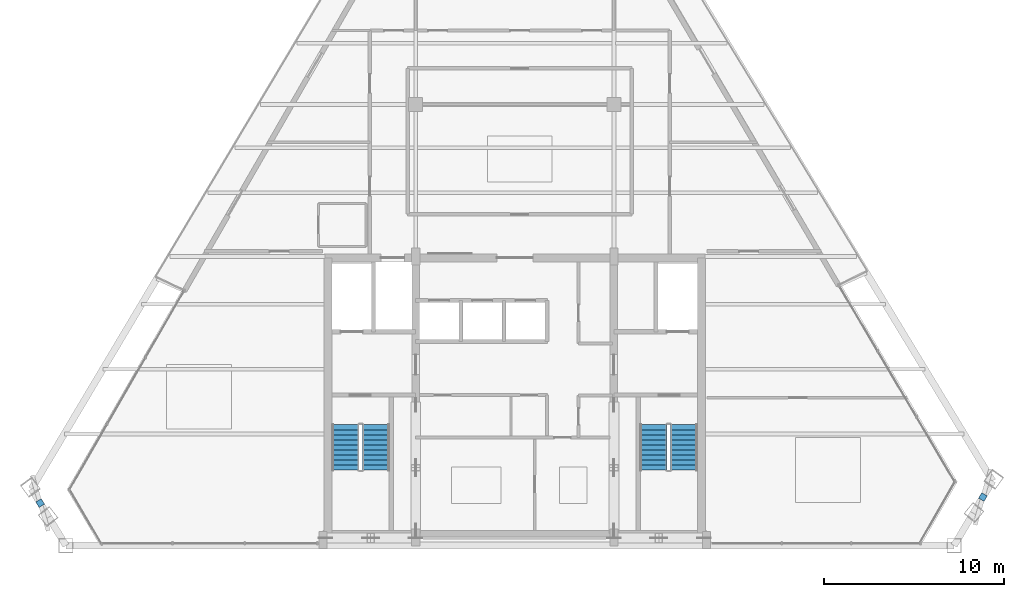
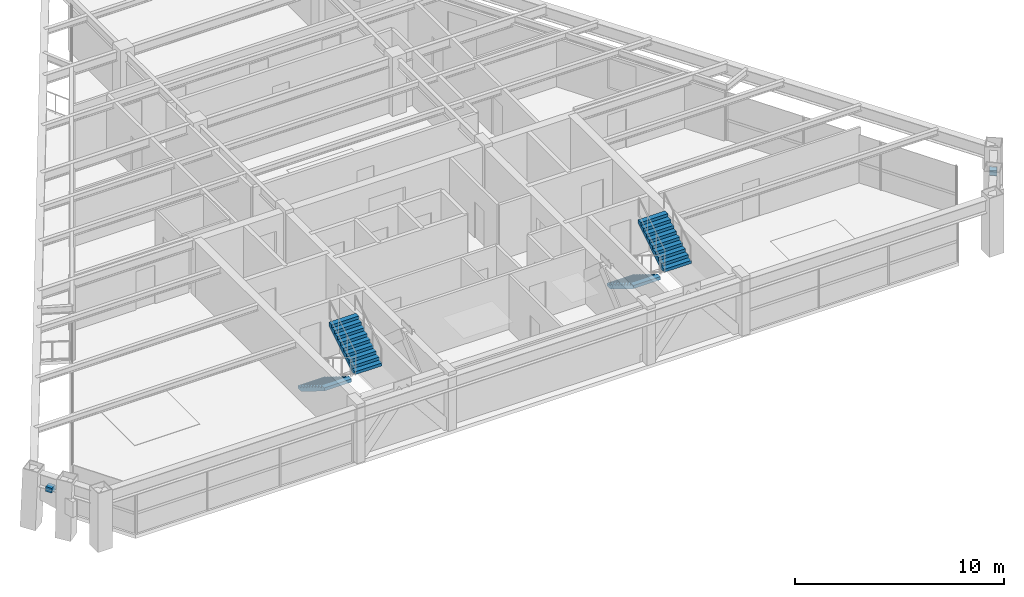
# One storey, part 11 of 13: 4 stair flights, 2 discrete accessories, 2 elements without a shape of their own.
"""IFC4 building model written with IfcOpenShell, lengths in metres."""

from ifc_helpers import new_model, si_unit, direction, frame, origin, origin_2d, place, context, subcontext, project, spatial, polyline, rectangle, outline, extrude, source, transform, mapped, material, type_object, type_shapes, element, aggregate, save


model = new_model("IFC4")

# Units and contexts
model_context = context("Model", 3, precision=1e-05, world=origin(), true_north=direction((0.0, 1.0)))
body_context = subcontext(model_context, "Body", "Model", "MODEL_VIEW")
ifc_project = project(units=[si_unit("LENGTHUNIT", "METRE"), si_unit("AREAUNIT", "SQUARE_METRE"), si_unit("VOLUMEUNIT", "CUBIC_METRE"), si_unit("PLANEANGLEUNIT", "RADIAN"), si_unit("MASSUNIT", "GRAM", prefix="KILO")], contexts=[model_context])

# Site, building, storey
site_placement = place(None, origin())
site = spatial("IfcSite", under=ifc_project, at=site_placement, CompositionType="ELEMENT")
building_placement = place(site_placement, origin())
building = spatial("IfcBuilding", under=site, at=building_placement, Name="Varnakhor Terracotta Tower", CompositionType="ELEMENT")
storey_placement = place(building_placement, frame((0.0, 0.0, 279.89990234375)))
storey = spatial("IfcBuildingStorey", under=building, at=storey_placement, Name="L73", CompositionType="ELEMENT", Elevation=279.89990234375)

# Stair, stair flights
ifc_material_1 = material(Name="Concrete C40/50", Category="concrete")
stair_type = type_object("IfcStairType", Name="STR-CORE-HOTEL-1500", PredefinedType="HALF_TURN_STAIR", material=ifc_material_1)
stair_1_placement = place(storey_placement, origin())
stair_1 = element("IfcStair", 1, at=stair_1_placement, inside=storey, type_object=stair_type, Name="L73 Core Exit Stair ST-1", PredefinedType="HALF_TURN_STAIR")
stair_flight_type = type_object("IfcStairFlightType", Name="FLT-HOTEL-1500", PredefinedType="STRAIGHT", material=ifc_material_1)
stair_flight_1_placement = place(storey_placement, frame((-9.39990234375, 6.7099609375, 0.0), z_axis=(0.0, 0.0, 1.0), x_axis=(0.0, -1.0, 0.0)))
stair_flight_1 = element("IfcStairFlight", 2, at=stair_flight_1_placement, type_object=stair_flight_type, Name="ST-1 flight 1", NumberOfRisers=10, NumberOfTreads=9, PredefinedType="STRAIGHT", RiserHeight=0.1725, TreadLength=0.28, context=body_context, shape_type="SweptSolid", body=[
    extrude(outline(polyline([(0.0, 0.0), (0.0, 0.172607421875), (0.280029296875, 0.172607421875), (0.280029296875, 0.344970703125), (0.56005859375, 0.344970703125), (0.56005859375, 0.517578125), (0.840087890625, 0.517578125), (0.840087890625, 0.68994140625), (1.1201171875, 0.68994140625), (1.1201171875, 0.862548828125), (1.39990234375, 0.862548828125), (1.39990234375, 1.034912109375), (1.679931640625, 1.034912109375), (1.679931640625, 1.20751953125), (1.9599609375, 1.20751953125), (1.9599609375, 1.3798828125), (2.239990234375, 1.3798828125), (2.239990234375, 1.552490234375), (2.52001953125, 1.552490234375), (2.52001953125, 1.72509765625), (2.52001953125, 1.36474609375), (0.304931640625, 0.0), (0.0, 0.0)])), frame((0.0, 0.75, 0.0), z_axis=(0.0, -1.0, 0.0), x_axis=(1.0, 0.0, 0.0)), (0.0, 0.0, 1.0), 1.5),
])
stair_flight_2_placement = place(storey_placement, frame((-7.699951171875, 4.18994140625, 1.72509765625), z_axis=(0.0, 0.0, 1.0), x_axis=(0.0, 1.0, 0.0)))
stair_flight_2 = element("IfcStairFlight", 3, at=stair_flight_2_placement, type_object=stair_flight_type, Name="ST-1 flight 2", NumberOfRisers=10, NumberOfTreads=9, PredefinedType="STRAIGHT", RiserHeight=0.1725, TreadLength=0.28, context=body_context, shape_type="SweptSolid", body=[
    extrude(outline(polyline([(0.0, 0.0), (0.0, 0.172607421875), (0.280029296875, 0.172607421875), (0.280029296875, 0.344970703125), (0.56005859375, 0.344970703125), (0.56005859375, 0.517578125), (0.840087890625, 0.517578125), (0.840087890625, 0.68994140625), (1.1201171875, 0.68994140625), (1.1201171875, 0.862548828125), (1.39990234375, 0.862548828125), (1.39990234375, 1.034912109375), (1.679931640625, 1.034912109375), (1.679931640625, 1.20751953125), (1.9599609375, 1.20751953125), (1.9599609375, 1.3798828125), (2.239990234375, 1.3798828125), (2.239990234375, 1.552490234375), (2.52001953125, 1.552490234375), (2.52001953125, 1.72509765625), (2.52001953125, 1.36474609375), (0.304931640625, 0.0), (0.0, 0.0)])), frame((0.0, 0.75, 0.0), z_axis=(0.0, -1.0, 0.0), x_axis=(1.0, 0.0, 0.0)), (0.0, 0.0, 1.0), 1.5),
])
aggregate(stair_1, [stair_flight_1, stair_flight_2])

stair_2_placement = place(storey_placement, origin())
stair_2 = element("IfcStair", 4, at=stair_2_placement, inside=storey, type_object=stair_type, Name="L73 Core Exit Stair ST-2", PredefinedType="HALF_TURN_STAIR")
stair_flight_3_placement = place(storey_placement, frame((7.699951171875, 6.7099609375, 0.0), z_axis=(0.0, 0.0, 1.0), x_axis=(0.0, -1.0, 0.0)))
stair_flight_3 = element("IfcStairFlight", 5, at=stair_flight_3_placement, type_object=stair_flight_type, Name="ST-2 flight 1", NumberOfRisers=10, NumberOfTreads=9, PredefinedType="STRAIGHT", RiserHeight=0.1725, TreadLength=0.28, context=body_context, shape_type="SweptSolid", body=[
    extrude(outline(polyline([(0.0, 0.0), (0.0, 0.172607421875), (0.280029296875, 0.172607421875), (0.280029296875, 0.344970703125), (0.56005859375, 0.344970703125), (0.56005859375, 0.517578125), (0.840087890625, 0.517578125), (0.840087890625, 0.68994140625), (1.1201171875, 0.68994140625), (1.1201171875, 0.862548828125), (1.39990234375, 0.862548828125), (1.39990234375, 1.034912109375), (1.679931640625, 1.034912109375), (1.679931640625, 1.20751953125), (1.9599609375, 1.20751953125), (1.9599609375, 1.3798828125), (2.239990234375, 1.3798828125), (2.239990234375, 1.552490234375), (2.52001953125, 1.552490234375), (2.52001953125, 1.72509765625), (2.52001953125, 1.36474609375), (0.304931640625, 0.0), (0.0, 0.0)])), frame((0.0, 0.75, 0.0), z_axis=(0.0, -1.0, 0.0), x_axis=(1.0, 0.0, 0.0)), (0.0, 0.0, 1.0), 1.5),
])
stair_flight_4_placement = place(storey_placement, frame((9.39990234375, 4.18994140625, 1.72509765625), z_axis=(0.0, 0.0, 1.0), x_axis=(0.0, 1.0, 0.0)))
stair_flight_4 = element("IfcStairFlight", 6, at=stair_flight_4_placement, type_object=stair_flight_type, Name="ST-2 flight 2", NumberOfRisers=10, NumberOfTreads=9, PredefinedType="STRAIGHT", RiserHeight=0.1725, TreadLength=0.28, context=body_context, shape_type="SweptSolid", body=[
    extrude(outline(polyline([(0.0, 0.0), (0.0, 0.172607421875), (0.280029296875, 0.172607421875), (0.280029296875, 0.344970703125), (0.56005859375, 0.344970703125), (0.56005859375, 0.517578125), (0.840087890625, 0.517578125), (0.840087890625, 0.68994140625), (1.1201171875, 0.68994140625), (1.1201171875, 0.862548828125), (1.39990234375, 0.862548828125), (1.39990234375, 1.034912109375), (1.679931640625, 1.034912109375), (1.679931640625, 1.20751953125), (1.9599609375, 1.20751953125), (1.9599609375, 1.3798828125), (2.239990234375, 1.3798828125), (2.239990234375, 1.552490234375), (2.52001953125, 1.552490234375), (2.52001953125, 1.72509765625), (2.52001953125, 1.36474609375), (0.304931640625, 0.0), (0.0, 0.0)])), frame((0.0, 0.75, 0.0), z_axis=(0.0, -1.0, 0.0), x_axis=(1.0, 0.0, 0.0)), (0.0, 0.0, 1.0), 1.5),
])
aggregate(stair_2, [stair_flight_3, stair_flight_4])

# Discrete accessories
ifc_material_2 = material(Name="Stainless Steel Fixing Bracket", Category="steel")
discrete_accessory_type = type_object("IfcDiscreteAccessoryType", Name="BRACKET-TERRACOTTA-SCREEN", PredefinedType="BRACKET", material=ifc_material_2)
shared_shape = source(origin(), body_context, "Body", "SweptSolid", [
    extrude(rectangle(XDim=0.35009765625, YDim=0.35009765625, at=origin_2d()), origin(), (0.0, 0.0, 1.0), 0.280029296875),
])
type_shapes(discrete_accessory_type, [shared_shape])
for number, where, z_axis, x_axis, name in (
    (7, (25.99462890625, 2.6943359375, 2.3369140625), (0.0, 0.0, 1.0), (0.511937919301, 0.859022448357, 0.0), "L73 E Screen Fixing Bracket"),
    (8, (-26.354736328125, 2.361572265625, 2.3369140625), (0.0, 0.0, 1.0), (0.51859419446, -0.855020503539, 0.0), "L73 W Screen Fixing Bracket"),
):
    element("IfcDiscreteAccessory", number, at=place(storey_placement, frame(where, z_axis=z_axis, x_axis=x_axis)), inside=storey, type_object=discrete_accessory_type, Name=name, PredefinedType="BRACKET", context=body_context, shape_type="MappedRepresentation", body=[
        mapped(shared_shape, transform((0.0, 0.0, 0.0), scale=1.0)),
    ])

save(model, "model.ifc")
